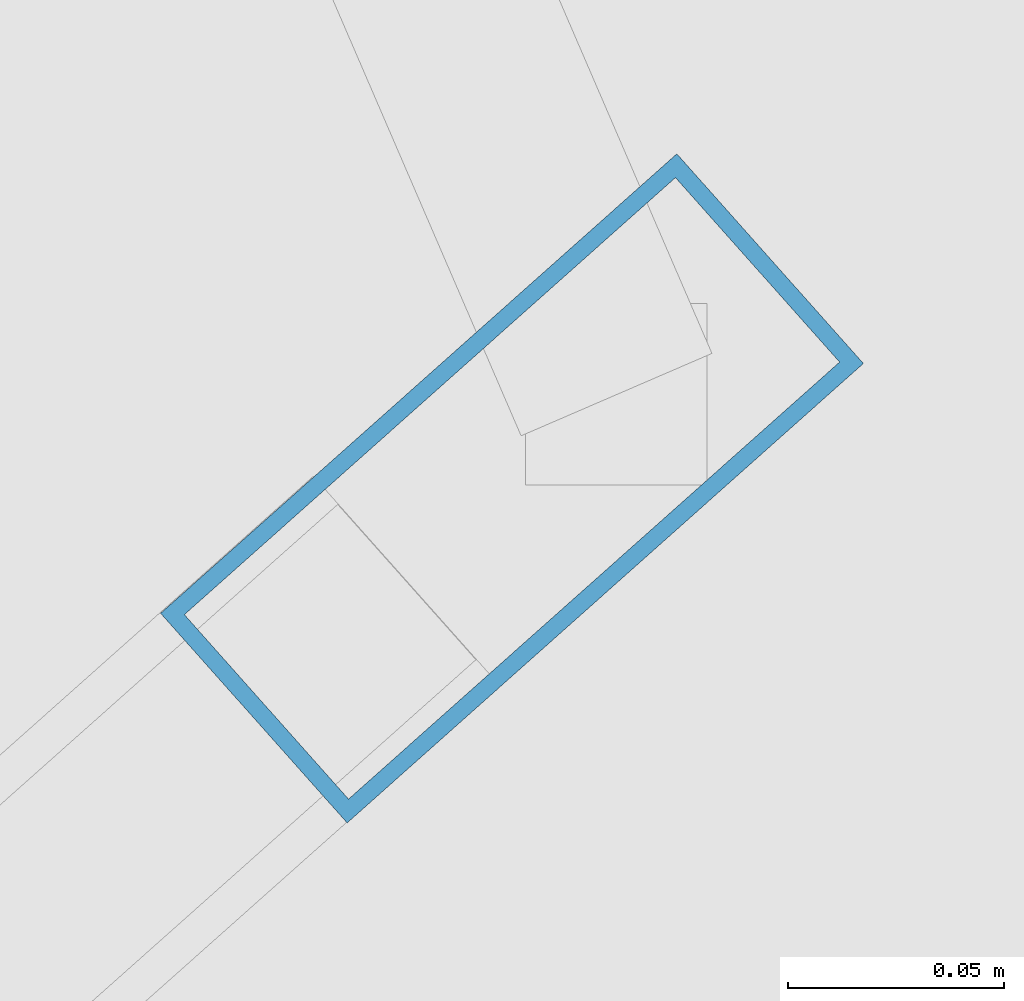
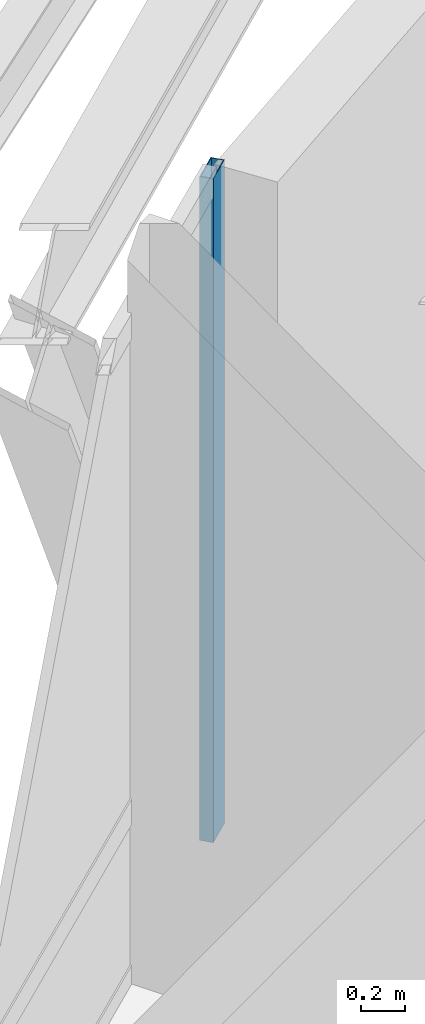
# One storey, part 11 of 22: 1 member, 1 element without a shape of its own.
"""IFC4 building model written with IfcOpenShell, lengths in metres."""

from ifc_helpers import new_model, si_unit, direction, frame, origin, origin_2d, place, context, subcontext, project, spatial, hollow_rectangle, extrude, source, transform, mapped, material, material_profile, profile_set, type_object, element, aggregate, save


model = new_model("IFC4")

# Units and contexts
model_context = context("Model", 3, precision=1e-05, world=origin(), true_north=direction((0.0, 1.0)))
body_context = subcontext(model_context, "Body", "Model", "MODEL_VIEW")
ifc_project = project(units=[si_unit("LENGTHUNIT", "METRE"), si_unit("AREAUNIT", "SQUARE_METRE"), si_unit("VOLUMEUNIT", "CUBIC_METRE"), si_unit("PLANEANGLEUNIT", "RADIAN"), si_unit("MASSUNIT", "GRAM", prefix="KILO")], contexts=[model_context])

# Site, building, storey
site_placement = place(None, origin())
site = spatial("IfcSite", under=ifc_project, at=site_placement, CompositionType="ELEMENT")
building_placement = place(site_placement, origin())
building = spatial("IfcBuilding", under=site, at=building_placement, Name="Olszyna Solenne Hotel", CompositionType="ELEMENT")
storey_placement = place(building_placement, frame((0.0, 0.0, 286.10009765625)))
storey = spatial("IfcBuildingStorey", under=building, at=storey_placement, Name="L76", CompositionType="ELEMENT", Elevation=286.10009765625)

# Curtain wall, member
ifc_material = material(Name="Anodised bronze aluminium", Category="aluminium")
curtain_wall_type = type_object("IfcCurtainWallType", Name="CW-SYS-7", PredefinedType="NOTDEFINED", material=ifc_material)
curtain_wall_placement = place(storey_placement, origin())
curtain_wall = element("IfcCurtainWall", 1, at=curtain_wall_placement, inside=storey, type_object=curtain_wall_type, Name="Unitised curtain wall CW-SYS-7 CW-L76-02", PredefinedType="NOTDEFINED")
ifc_material_profile = material_profile(ifc_material, hollow_rectangle(XDim=0.06494140625, YDim=0.159912109375, WallThickness=0.00390625, at=origin_2d()), Name="MULL 160x65x4", Category="load-bearing")
ifc_profile_set = profile_set([ifc_material_profile], Name="Anodised bronze aluminium")
member_type = type_object("IfcMemberType", Name="CW-M3", PredefinedType="MULLION", material=ifc_profile_set)
shared_shape = source(origin(), body_context, "Body", "SweptSolid", [
    extrude(hollow_rectangle(XDim=0.06494140625, YDim=0.159912109375, WallThickness=0.00390625, at=origin_2d()), origin(), (0.0, 0.0, 1.0), 3.661865234375),
])
member_placement = place(storey_placement, frame((32.35205078125, 38.665283203125, 0.0), z_axis=(0.0, 0.0, 1.0), x_axis=(-0.6648066098, 0.747015509589, 0.0)))
member = element("IfcMember", 2, at=member_placement, type_object=member_type, Name="Curtain-wall mullion CW-M3 CM-L76-02-04", PredefinedType="MULLION", context=body_context, shape_type="MappedRepresentation", body=[
    mapped(shared_shape, transform((0.0, 0.0, 0.0), x_axis=(1.0, 0.0, 0.0), y_axis=(0.0, 1.0, 0.0), z_axis=(0.0, 0.0, 1.0), scale=1.0)),
])
aggregate(curtain_wall, [member])

save(model, "model.ifc")
